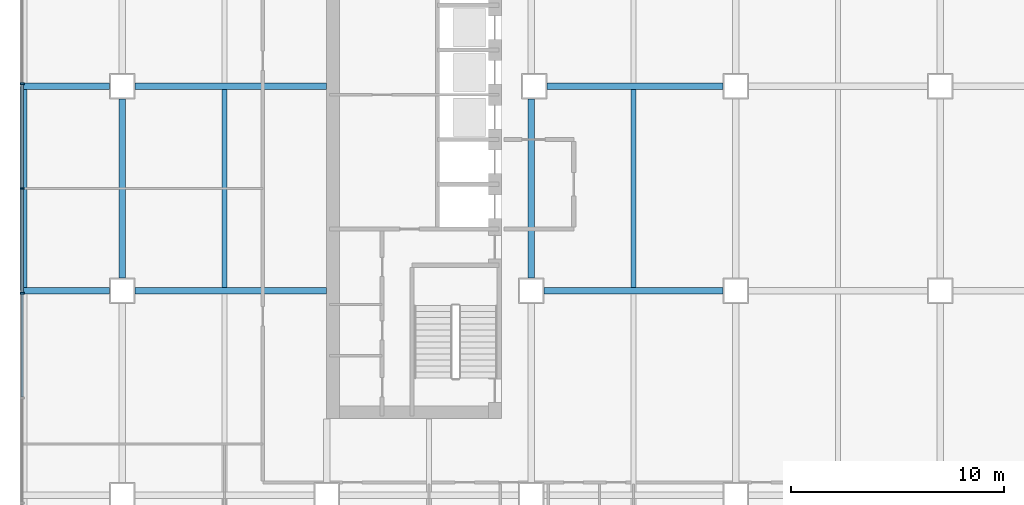
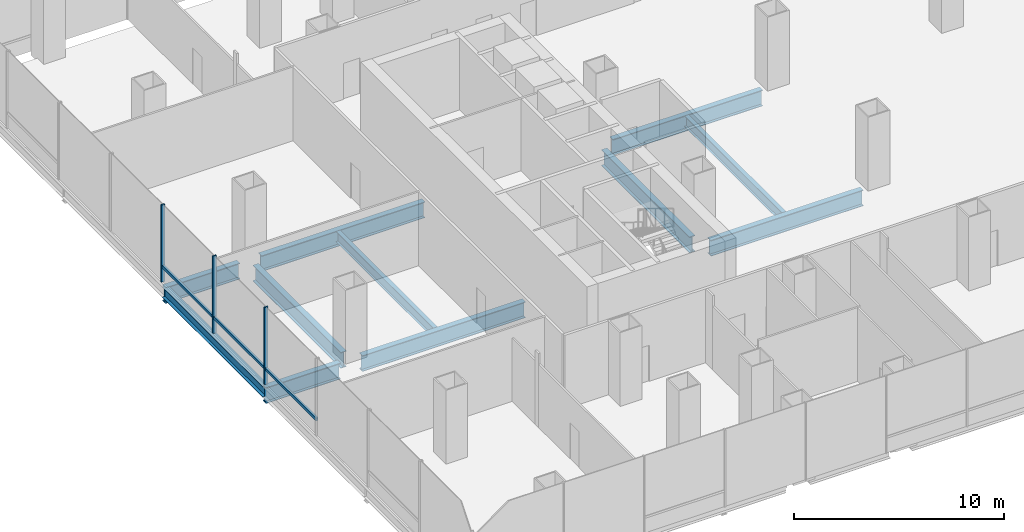
# One storey, part 4 of 23: 11 beams, 6 members, 1 element without a shape of its own.
"""IFC4 building model written with IfcOpenShell, lengths in metres."""

from ifc_helpers import new_model, si_unit, direction, frame, origin, origin_2d, place, context, subcontext, project, spatial, rectangle, i_section, extrude, material, material_profile, profile_set, type_object, element, aggregate, save


model = new_model("IFC4")

# Units and contexts
model_context = context("Model", 3, precision=1e-05, world=origin(), true_north=direction((0.0, 1.0)))
body_context = subcontext(model_context, "Body", "Model", "MODEL_VIEW")
ifc_project = project(units=[si_unit("LENGTHUNIT", "METRE"), si_unit("AREAUNIT", "SQUARE_METRE"), si_unit("VOLUMEUNIT", "CUBIC_METRE"), si_unit("PLANEANGLEUNIT", "RADIAN"), si_unit("MASSUNIT", "GRAM", prefix="KILO")], contexts=[model_context])

# Site, building, storey
site_placement = place(None, origin())
site = spatial("IfcSite", under=ifc_project, at=site_placement, CompositionType="ELEMENT")
building_placement = place(site_placement, origin())
building = spatial("IfcBuilding", under=site, at=building_placement, Name="Cobrizo Arcos Hotel Tower", CompositionType="ELEMENT")
storey_placement = place(building_placement, frame((0.0, 0.0, 20.0)))
storey = spatial("IfcBuildingStorey", under=building, at=storey_placement, Name="L03", CompositionType="ELEMENT", Elevation=20.0)

# Curtain wall, members
ifc_material_1 = material(Name="Aluminium 6063-T6 anodised bronze", Category="aluminium")
curtain_wall_type = type_object("IfcCurtainWallType", Name="CW-B podium glazing", PredefinedType="NOTDEFINED", material=ifc_material_1)
curtain_wall_placement = place(storey_placement, origin())
curtain_wall = element("IfcCurtainWall", 1, at=curtain_wall_placement, inside=storey, type_object=curtain_wall_type, Name="CW-B L03 W face", PredefinedType="NOTDEFINED")
ifc_material_profile_1 = material_profile(ifc_material_1, rectangle(XDim=0.199951171875, YDim=0.080078125, at=origin_2d()), Name="CW-B mullion 200x80")
ifc_profile_set_1 = profile_set([ifc_material_profile_1], Name="Aluminium 6063-T6 anodised bronze")
member_type_1 = type_object("IfcMemberType", Name="CW-B mullion 200x80", PredefinedType="MULLION", material=ifc_profile_set_1)
member_1_placement = place(storey_placement, frame((-38.300048828125, 4.919921875, 0.0), z_axis=(0.0, 0.0, 1.0), x_axis=(-1.0, 0.0, 0.0)))
member_1 = element("IfcMember", 2, at=member_1_placement, type_object=member_type_1, Name="CW-B mullion 5", PredefinedType="MULLION", context=body_context, shape_type="SweptSolid", body=[
    extrude(rectangle(XDim=0.199951171875, YDim=0.080078125, at=origin_2d()), origin(), (0.0, 0.0, 1.0), 4.5),
])
member_2_placement = place(storey_placement, frame((-38.300048828125, 0.0, 0.0), z_axis=(0.0, 0.0, 1.0), x_axis=(-1.0, 0.0, 0.0)))
member_2 = element("IfcMember", 3, at=member_2_placement, type_object=member_type_1, Name="CW-B mullion 6", PredefinedType="MULLION", context=body_context, shape_type="SweptSolid", body=[
    extrude(rectangle(XDim=0.199951171875, YDim=0.080078125, at=origin_2d()), origin(), (0.0, 0.0, 1.0), 4.5),
])
member_3_placement = place(storey_placement, frame((-38.300048828125, -4.919921875, 0.0), z_axis=(0.0, 0.0, 1.0), x_axis=(-1.0, 0.0, 0.0)))
member_3 = element("IfcMember", 4, at=member_3_placement, type_object=member_type_1, Name="CW-B mullion 7", PredefinedType="MULLION", context=body_context, shape_type="SweptSolid", body=[
    extrude(rectangle(XDim=0.199951171875, YDim=0.080078125, at=origin_2d()), origin(), (0.0, 0.0, 1.0), 4.5),
])
ifc_material_profile_2 = material_profile(ifc_material_1, rectangle(XDim=0.1201171875, YDim=0.159912109375, at=origin_2d()), Name="CW-B transom 160x120")
ifc_profile_set_2 = profile_set([ifc_material_profile_2], Name="Aluminium 6063-T6 anodised bronze")
member_type_2 = type_object("IfcMemberType", Name="CW-B transom 160x120", PredefinedType="USERDEFINED", material=ifc_profile_set_2)
member_4_placement = place(storey_placement, frame((-38.300048828125, 4.8798828125, 0.89990234375), z_axis=(0.0, -1.0, 0.0), x_axis=(1.0, 0.0, 0.0)))
member_4 = element("IfcMember", 5, at=member_4_placement, type_object=member_type_2, Name="CW-B transom 192", ObjectType="TRANSOM", PredefinedType="USERDEFINED", context=body_context, shape_type="SweptSolid", body=[
    extrude(rectangle(XDim=0.1201171875, YDim=0.159912109375, at=origin_2d()), origin(), (0.0, 0.0, 1.0), 4.83984375),
])
member_5_placement = place(storey_placement, frame((-38.300048828125, -0.0400390625, 0.89990234375), z_axis=(0.0, -1.0, 0.0), x_axis=(1.0, 0.0, 0.0)))
member_5 = element("IfcMember", 6, at=member_5_placement, type_object=member_type_2, Name="CW-B transom 193", ObjectType="TRANSOM", PredefinedType="USERDEFINED", context=body_context, shape_type="SweptSolid", body=[
    extrude(rectangle(XDim=0.1201171875, YDim=0.159912109375, at=origin_2d()), origin(), (0.0, 0.0, 1.0), 4.83984375),
])
member_6_placement = place(storey_placement, frame((-38.300048828125, -4.9599609375, 0.89990234375), z_axis=(0.0, -1.0, 0.0), x_axis=(1.0, 0.0, 0.0)))
member_6 = element("IfcMember", 7, at=member_6_placement, type_object=member_type_2, Name="CW-B transom 194", ObjectType="TRANSOM", PredefinedType="USERDEFINED", context=body_context, shape_type="SweptSolid", body=[
    extrude(rectangle(XDim=0.1201171875, YDim=0.159912109375, at=origin_2d()), origin(), (0.0, 0.0, 1.0), 4.840087890625),
])
aggregate(curtain_wall, [member_1, member_2, member_3, member_4, member_5, member_6])

# Beams
ifc_material_2 = material(Name="Steel ASTM A992 Grade 50", Category="steel")
ifc_material_profile_3 = material_profile(ifc_material_2, i_section(OverallWidth=0.32763671875, OverallDepth=0.622314453125, WebThickness=0.015380859375, FlangeThickness=0.0244140625, at=origin_2d()), Name="W24X131")
ifc_profile_set_3 = profile_set([ifc_material_profile_3], Name="Steel ASTM A992 Grade 50")
beam_type_1 = type_object("IfcBeamType", Name="W24X131 edge beam", PredefinedType="BEAM", material=ifc_profile_set_3)
beam_1_placement = place(storey_placement, frame((-38.236083984375, 4.800048828125, -0.51123046875), z_axis=(0.0, -1.0, 0.0), x_axis=(1.0, 0.0, 0.0)))
element("IfcBeam", 8, at=beam_1_placement, inside=storey, type_object=beam_type_1, Name="Edge beam EB1, L03, no. 010", PredefinedType="BEAM", context=body_context, shape_type="SweptSolid", body=[
    extrude(i_section(OverallWidth=0.32763671875, OverallDepth=0.622314453125, WebThickness=0.015380859375, FlangeThickness=0.0244140625, at=origin_2d()), origin(), (0.0, 0.0, 1.0), 9.60009765625),
])
ifc_material_profile_4 = material_profile(ifc_material_2, i_section(OverallWidth=0.23046875, OverallDepth=0.6171875, WebThickness=0.01318359375, FlangeThickness=0.022216796875, at=origin_2d()), Name="W24X94")
ifc_profile_set_4 = profile_set([ifc_material_profile_4], Name="Steel ASTM A992 Grade 50")
beam_type_2 = type_object("IfcBeamType", Name="W24X94 podium joist", PredefinedType="JOIST", material=ifc_profile_set_4)
for number, where, z_axis, x_axis, name in (
    (9, (-28.800048828125, -4.646240234375, -0.508544921875), (0.0, 1.0, 0.0), (-1.0, 0.0, 0.0), "Podium joist PJ1, L03, no. 003"),
    (10, (-9.60009765625, -4.646240234375, -0.508544921875), (0.0, 1.0, 0.0), (-1.0, 0.0, 0.0), "Podium joist PJ1, L03, no. 012"),
):
    element("IfcBeam", number, at=place(storey_placement, frame(where, z_axis=z_axis, x_axis=x_axis)), inside=storey, type_object=beam_type_2, Name=name, PredefinedType="JOIST", context=body_context, shape_type="SweptSolid", body=[
        extrude(i_section(OverallWidth=0.23046875, OverallDepth=0.6171875, WebThickness=0.01318359375, FlangeThickness=0.022216796875, at=origin_2d()), origin(), (0.0, 0.0, 1.0), 9.29248046875),
    ])
ifc_material_profile_5 = material_profile(ifc_material_2, i_section(OverallWidth=0.307373046875, OverallDepth=0.927001953125, WebThickness=0.01953125, FlangeThickness=0.031982421875, at=origin_2d()), Name="W36X194")
ifc_profile_set_5 = profile_set([ifc_material_profile_5], Name="Steel ASTM A992 Grade 50")
beam_type_3 = type_object("IfcBeamType", Name="W36X194 podium girder", PredefinedType="BEAM", material=ifc_profile_set_5)
beam_2_placement = place(storey_placement, frame((-38.31005859375, -4.800048828125, -0.66357421875), z_axis=(1.0, 0.0, 0.0), x_axis=(0.0, 1.0, 0.0)))
element("IfcBeam", 11, at=beam_2_placement, inside=storey, type_object=beam_type_3, Name="Podium girder PG1, L03, no. 010", PredefinedType="BEAM", context=body_context, shape_type="SweptSolid", body=[
    extrude(i_section(OverallWidth=0.307373046875, OverallDepth=0.927001953125, WebThickness=0.01953125, FlangeThickness=0.031982421875, at=origin_2d()), origin(), (0.0, 0.0, 1.0), 4.110107421875),
])
beam_3_placement = place(storey_placement, frame((-33.0, -4.800048828125, -0.66357421875), z_axis=(1.0, 0.0, 0.0), x_axis=(0.0, 1.0, 0.0)))
element("IfcBeam", 12, at=beam_3_placement, inside=storey, type_object=beam_type_3, Name="Podium girder PG1, L03, no. 011", PredefinedType="BEAM", context=body_context, shape_type="SweptSolid", body=[
    extrude(i_section(OverallWidth=0.307373046875, OverallDepth=0.927001953125, WebThickness=0.01953125, FlangeThickness=0.031982421875, at=origin_2d()), origin(), (0.0, 0.0, 1.0), 8.989990234375),
])
beam_4_placement = place(storey_placement, frame((-13.800048828125, -4.800048828125, -0.66357421875), z_axis=(1.0, 0.0, 0.0), x_axis=(0.0, 1.0, 0.0)))
element("IfcBeam", 13, at=beam_4_placement, inside=storey, type_object=beam_type_3, Name="Podium girder PG1, L03, no. 012", PredefinedType="BEAM", context=body_context, shape_type="SweptSolid", body=[
    extrude(i_section(OverallWidth=0.307373046875, OverallDepth=0.927001953125, WebThickness=0.01953125, FlangeThickness=0.031982421875, at=origin_2d()), origin(), (0.0, 0.0, 1.0), 8.400146484375),
])
beam_5_placement = place(storey_placement, frame((-38.31005859375, 4.800048828125, -0.66357421875), z_axis=(1.0, 0.0, 0.0), x_axis=(0.0, 1.0, 0.0)))
element("IfcBeam", 14, at=beam_5_placement, inside=storey, type_object=beam_type_3, Name="Podium girder PG1, L03, no. 018", PredefinedType="BEAM", context=body_context, shape_type="SweptSolid", body=[
    extrude(i_section(OverallWidth=0.307373046875, OverallDepth=0.927001953125, WebThickness=0.01953125, FlangeThickness=0.031982421875, at=origin_2d()), origin(), (0.0, 0.0, 1.0), 4.110107421875),
])
beam_6_placement = place(storey_placement, frame((-33.0, 4.800048828125, -0.66357421875), z_axis=(1.0, 0.0, 0.0), x_axis=(0.0, 1.0, 0.0)))
element("IfcBeam", 15, at=beam_6_placement, inside=storey, type_object=beam_type_3, Name="Podium girder PG1, L03, no. 019", PredefinedType="BEAM", context=body_context, shape_type="SweptSolid", body=[
    extrude(i_section(OverallWidth=0.307373046875, OverallDepth=0.927001953125, WebThickness=0.01953125, FlangeThickness=0.031982421875, at=origin_2d()), origin(), (0.0, 0.0, 1.0), 8.989990234375),
])
beam_7_placement = place(storey_placement, frame((-13.64990234375, 4.800048828125, -0.66357421875), z_axis=(1.0, 0.0, 0.0), x_axis=(0.0, 1.0, 0.0)))
element("IfcBeam", 16, at=beam_7_placement, inside=storey, type_object=beam_type_3, Name="Podium girder PG1, L03, no. 020", PredefinedType="BEAM", context=body_context, shape_type="SweptSolid", body=[
    extrude(i_section(OverallWidth=0.307373046875, OverallDepth=0.927001953125, WebThickness=0.01953125, FlangeThickness=0.031982421875, at=origin_2d()), origin(), (0.0, 0.0, 1.0), 8.25),
])
for number, where, z_axis, x_axis, name in (
    (17, (-33.60009765625, -4.199951171875, -0.66357421875), (0.0, 1.0, 0.0), (-1.0, 0.0, 0.0), "Podium girder PG1, L03, no. 037"),
    (18, (-14.39990234375, -4.199951171875, -0.66357421875), (0.0, 1.0, 0.0), (-1.0, 0.0, 0.0), "Podium girder PG1, L03, no. 048"),
):
    element("IfcBeam", number, at=place(storey_placement, frame(where, z_axis=z_axis, x_axis=x_axis)), inside=storey, type_object=beam_type_3, Name=name, PredefinedType="BEAM", context=body_context, shape_type="SweptSolid", body=[
        extrude(i_section(OverallWidth=0.307373046875, OverallDepth=0.927001953125, WebThickness=0.01953125, FlangeThickness=0.031982421875, at=origin_2d()), origin(), (0.0, 0.0, 1.0), 8.39990234375),
    ])

save(model, "model.ifc")
